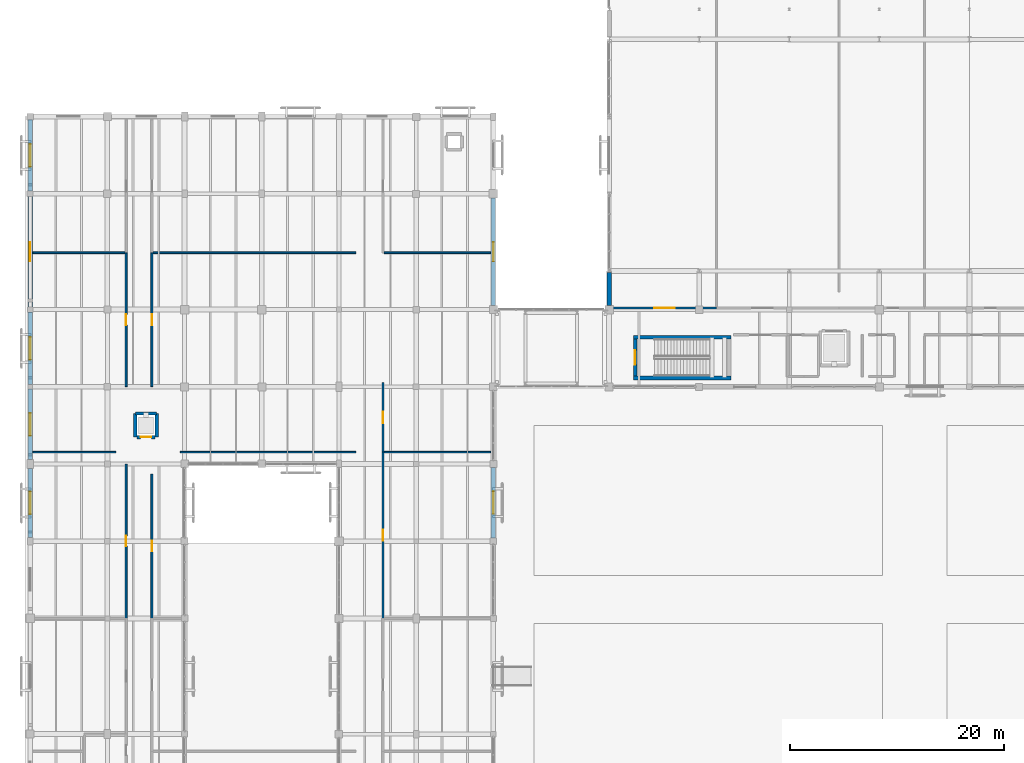
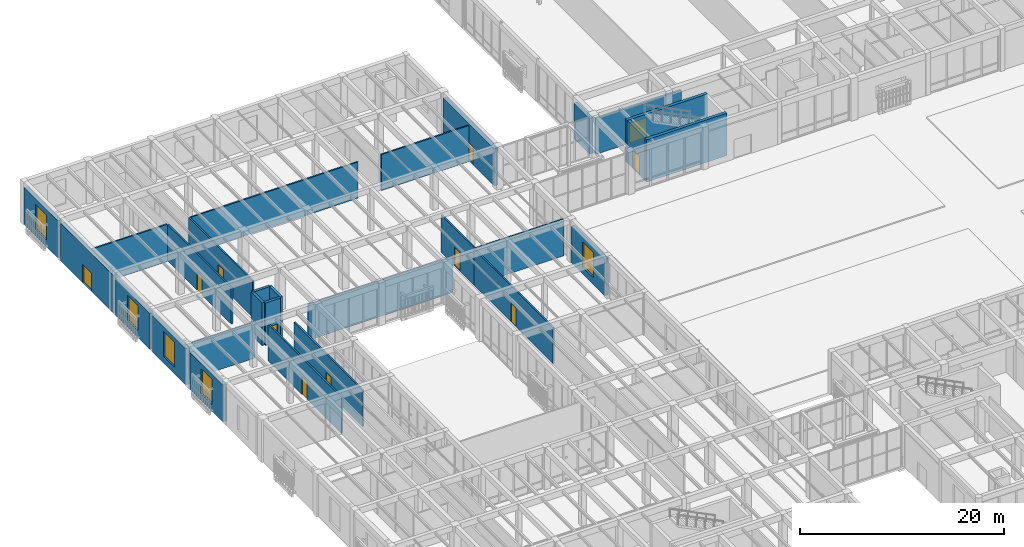
# One storey, part 125 of 169: 28 walls, 11 doors, 5 windows, 16 openings.
"""IFC4 building model written with IfcOpenShell, lengths in metres."""

from ifc_helpers import new_model, si_unit, direction, frame, frame_2d, origin, place, context, subcontext, project, spatial, rectangle, extrude, material, layer, layer_set, type_object, element, fill, save


model = new_model("IFC4")

# Units and contexts
model_context = context("Model", 3, precision=1e-05, world=origin(), true_north=direction((0.0, 1.0)))
body_context = subcontext(model_context, "Body", "Model", "MODEL_VIEW")
ifc_project = project(units=[si_unit("LENGTHUNIT", "METRE"), si_unit("AREAUNIT", "SQUARE_METRE"), si_unit("VOLUMEUNIT", "CUBIC_METRE"), si_unit("PLANEANGLEUNIT", "RADIAN"), si_unit("MASSUNIT", "GRAM", prefix="KILO")], contexts=[model_context])

# Site, building, storey
site_placement = place(None, origin())
site = spatial("IfcSite", under=ifc_project, at=site_placement, CompositionType="ELEMENT")
building_placement = place(site_placement, origin())
building = spatial("IfcBuilding", under=site, at=building_placement, Name="Mazaris Harbour Polytechnic", CompositionType="ELEMENT")
storey_placement = place(building_placement, origin())
storey = spatial("IfcBuildingStorey", under=building, at=storey_placement, Name="L00", CompositionType="ELEMENT", Elevation=0.0)

# Walls
ifc_material_1 = material(Name="Double Gypsum and Mineral Wool")
ifc_layer_1 = layer(ifc_material_1, 0.14990234375, Name="Double Gypsum and Mineral Wool")
ifc_layer_set_1 = layer_set([ifc_layer_1], Name="Double Gypsum and Mineral Wool")
wall_type_1 = type_object("IfcWallType", Name="Classroom Acoustic Partition 150", PredefinedType="PARTITIONING", material=ifc_layer_set_1)
wall_1_placement = place(storey_placement, frame((0.25, 69.5, 0.0), z_axis=(0.0, 0.0, 1.0), x_axis=(1.0, 0.0, 0.0)))
element("IfcWall", 1, at=wall_1_placement, inside=storey, type_object=wall_type_1, Name="V4 L00 Partition 296", PredefinedType="PARTITIONING", context=body_context, shape_type="SweptSolid", body=[
    extrude(rectangle(XDim=7.7451171875, YDim=0.14990234375, at=frame_2d((3.87255859375, 0.0))), origin(), (0.0, 0.0, 1.0), 4.300048828125),
])
wall_2_placement = place(storey_placement, frame((14.0048828125, 69.5, 0.0), z_axis=(0.0, 0.0, 1.0), x_axis=(1.0, 0.0, 0.0)))
element("IfcWall", 2, at=wall_2_placement, inside=storey, type_object=wall_type_1, Name="V4 L00 Partition 308", PredefinedType="PARTITIONING", context=body_context, shape_type="SweptSolid", body=[
    extrude(rectangle(XDim=16.375, YDim=0.14990234375, at=frame_2d((8.1875, 0.0))), origin(), (0.0, 0.0, 1.0), 4.300048828125),
])
wall_3_placement = place(storey_placement, frame((33.02001953125, 69.5, 0.0), z_axis=(0.0, 0.0, 1.0), x_axis=(1.0, 0.0, 0.0)))
element("IfcWall", 3, at=wall_3_placement, inside=storey, type_object=wall_type_1, Name="V4 L00 Partition 317", PredefinedType="PARTITIONING", context=body_context, shape_type="SweptSolid", body=[
    extrude(rectangle(XDim=9.929931640625, YDim=0.14990234375, at=frame_2d((4.96484375, 0.0))), origin(), (0.0, 0.0, 1.0), 4.39990234375),
])

# Wall, opening, door
ifc_material_2 = material(Name="Terracotta Block and Plaster", Category="masonry")
ifc_layer_2 = layer(ifc_material_2, 0.179931640625, Name="Terracotta Block and Plaster")
ifc_layer_set_2 = layer_set([ifc_layer_2], Name="Terracotta Block and Plaster")
wall_type_2 = type_object("IfcWallType", Name="Corridor Fire Partition 180", PredefinedType="PARTITIONING", material=ifc_layer_set_2)
wall_4_placement = place(storey_placement, frame((8.949951171875, 54.0048828125, 0.0), z_axis=(0.0, 0.0, 1.0), x_axis=(0.0, 1.0, 0.0)))
wall_4 = element("IfcWall", 4, at=wall_4_placement, inside=storey, type_object=wall_type_2, Name="V4 L00 Partition 295", PredefinedType="PARTITIONING", context=body_context, shape_type="SweptSolid", body=[
    extrude(rectangle(XDim=14.39013671875, YDim=0.179931640625, at=frame_2d((7.195068359375, 0.0))), origin(), (0.0, 0.0, 1.0), 4.35009765625),
])
opening_1_placement = place(wall_4_placement, frame((6.705078125, 0.0, 0.0)))
opening_1 = element("IfcOpeningElement", 5, at=opening_1_placement, cuts=wall_4, Name="Opening ID-08L", PredefinedType="OPENING", context=body_context, shape_type="SweptSolid", body=[
    extrude(rectangle(XDim=0.97998046875, YDim=2.179931640625, at=frame_2d((0.489990234375, 1.08984375))), frame((0.0, 0.099853515625, 0.0), z_axis=(0.0, -1.0, 0.0), x_axis=(1.0, 0.0, 0.0)), (0.0, 0.0, 1.0), 0.199951171875),
])
ifc_material_3 = material(Name="Solid Oak Timber", Category="wood")
door_type_1 = type_object("IfcDoorType", Name="Seminar Room Door LH 980x2180", OperationType="SINGLE_SWING_LEFT", PredefinedType="DOOR", material=ifc_material_3)
door_1_placement = place(opening_1_placement, origin())
door_1 = element("IfcDoor", 6, at=door_1_placement, inside=storey, type_object=door_type_1, Name="ID-0135", OperationType="SINGLE_SWING_LEFT", OverallHeight=2.179931640625, OverallWidth=0.97998046875, PredefinedType="DOOR", context=body_context, shape_type="SweptSolid", body=[
    extrude(rectangle(XDim=0.97998046875, YDim=2.179931640625, at=frame_2d((0.489990234375, 1.08984375))), frame((0.0, 0.02490234375, 0.0), z_axis=(0.0, -1.0, 0.0), x_axis=(1.0, 0.0, 0.0)), (0.0, 0.0, 1.0), 0.050048828125),
])
fill(opening_1, door_1)

wall_5_placement = place(storey_placement, frame((8.949951171875, 75.60498046875, 0.0), z_axis=(0.0, 0.0, 1.0), x_axis=(0.0, 1.0, 0.0)))
wall_5 = element("IfcWall", 7, at=wall_5_placement, inside=storey, type_object=wall_type_2, Name="V4 L00 Partition 297", PredefinedType="PARTITIONING", context=body_context, shape_type="SweptSolid", body=[
    extrude(rectangle(XDim=12.4951171875, YDim=0.179931640625, at=frame_2d((6.24755859375, 0.0))), origin(), (0.0, 0.0, 1.0), 4.35009765625),
])
opening_2_placement = place(wall_5_placement, frame((5.75244140625, 0.0, 0.0)))
opening_2 = element("IfcOpeningElement", 8, at=opening_2_placement, cuts=wall_5, Name="Opening ID-08R", PredefinedType="OPENING", context=body_context, shape_type="SweptSolid", body=[
    extrude(rectangle(XDim=0.989990234375, YDim=2.179931640625, at=frame_2d((0.4951171875, 1.08984375))), frame((0.0, 0.099853515625, 0.0), z_axis=(0.0, -1.0, 0.0), x_axis=(1.0, 0.0, 0.0)), (0.0, 0.0, 1.0), 0.199951171875),
])
ifc_material_4 = material(Name="Solid Oak Timber", Category="wood")
door_type_2 = type_object("IfcDoorType", Name="Seminar Room Door RH 990x2180", OperationType="SINGLE_SWING_RIGHT", PredefinedType="DOOR", material=ifc_material_4)
door_2_placement = place(opening_2_placement, origin())
door_2 = element("IfcDoor", 9, at=door_2_placement, inside=storey, type_object=door_type_2, Name="ID-0136", OperationType="SINGLE_SWING_RIGHT", OverallHeight=2.179931640625, OverallWidth=0.989990234375, PredefinedType="DOOR", context=body_context, shape_type="SweptSolid", body=[
    extrude(rectangle(XDim=0.989990234375, YDim=2.179931640625, at=frame_2d((0.4951171875, 1.08984375))), frame((0.0, 0.02490234375, 0.0), z_axis=(0.0, -1.0, 0.0), x_axis=(1.0, 0.0, 0.0)), (0.0, 0.0, 1.0), 0.050048828125),
])
fill(opening_2, door_2)

wall_6_placement = place(storey_placement, frame((11.35009765625, 54.0048828125, 0.0), z_axis=(0.0, 0.0, 1.0), x_axis=(0.0, 1.0, 0.0)))
wall_6 = element("IfcWall", 10, at=wall_6_placement, inside=storey, type_object=wall_type_2, Name="V4 L00 Partition 306", PredefinedType="PARTITIONING", context=body_context, shape_type="SweptSolid", body=[
    extrude(rectangle(XDim=13.455078125, YDim=0.179931640625, at=frame_2d((6.7275390625, 0.0))), origin(), (0.0, 0.0, 1.0), 4.35009765625),
])
opening_3_placement = place(wall_6_placement, frame((6.237548828125, 0.0, 0.0)))
opening_3 = element("IfcOpeningElement", 11, at=opening_3_placement, cuts=wall_6, Name="Opening ID-08L", PredefinedType="OPENING", context=body_context, shape_type="SweptSolid", body=[
    extrude(rectangle(XDim=0.97998046875, YDim=2.179931640625, at=frame_2d((0.489990234375, 1.08984375))), frame((0.0, 0.099853515625, 0.0), z_axis=(0.0, -1.0, 0.0), x_axis=(1.0, 0.0, 0.0)), (0.0, 0.0, 1.0), 0.199951171875),
])
door_3_placement = place(opening_3_placement, origin())
door_3 = element("IfcDoor", 12, at=door_3_placement, inside=storey, type_object=door_type_1, Name="ID-0141", OperationType="SINGLE_SWING_LEFT", OverallHeight=2.179931640625, OverallWidth=0.97998046875, PredefinedType="DOOR", context=body_context, shape_type="SweptSolid", body=[
    extrude(rectangle(XDim=0.97998046875, YDim=2.179931640625, at=frame_2d((0.489990234375, 1.08984375))), frame((0.0, 0.02490234375, 0.0), z_axis=(0.0, -1.0, 0.0), x_axis=(1.0, 0.0, 0.0)), (0.0, 0.0, 1.0), 0.050048828125),
])
fill(opening_3, door_3)

# Wall
ifc_material_5 = material(Name="Fireboard and Mineral Wool")
ifc_layer_3 = layer(ifc_material_5, 0.1650390625, Name="Fireboard and Mineral Wool")
ifc_layer_set_3 = layer_set([ifc_layer_3], Name="Fireboard and Mineral Wool")
wall_type_3 = type_object("IfcWallType", Name="Laboratory Rated Partition 165", PredefinedType="PARTITIONING", material=ifc_layer_set_3)
wall_7_placement = place(storey_placement, frame((0.25, 88.10009765625, 0.0), z_axis=(0.0, 0.0, 1.0), x_axis=(1.0, 0.0, 0.0)))
element("IfcWall", 13, at=wall_7_placement, inside=storey, type_object=wall_type_3, Name="V4 L00 Partition 298", PredefinedType="PARTITIONING", context=body_context, shape_type="SweptSolid", body=[
    extrude(rectangle(XDim=8.580078125, YDim=0.1650390625, at=frame_2d((4.2900390625, 0.0))), origin(), (0.0, 0.0, 1.0), 4.449951171875),
])

# Wall, opening, door
wall_8_placement = place(storey_placement, frame((11.35009765625, 75.60498046875, 0.0), z_axis=(0.0, 0.0, 1.0), x_axis=(0.0, 1.0, 0.0)))
wall_8 = element("IfcWall", 14, at=wall_8_placement, inside=storey, type_object=wall_type_3, Name="V4 L00 Partition 307", PredefinedType="PARTITIONING", context=body_context, shape_type="SweptSolid", body=[
    extrude(rectangle(XDim=12.4951171875, YDim=0.1650390625, at=frame_2d((6.24755859375, 0.0))), origin(), (0.0, 0.0, 1.0), 4.35009765625),
])
opening_4_placement = place(wall_8_placement, frame((5.717529296875, 0.0, 0.0)))
opening_4 = element("IfcOpeningElement", 15, at=opening_4_placement, cuts=wall_8, Name="Opening ID-02R", PredefinedType="OPENING", context=body_context, shape_type="SweptSolid", body=[
    extrude(rectangle(XDim=1.06005859375, YDim=2.199951171875, at=frame_2d((0.530029296875, 1.10009765625))), frame((0.0, 0.092529296875, 0.0), z_axis=(0.0, -1.0, 0.0), x_axis=(1.0, 0.0, 0.0)), (0.0, 0.0, 1.0), 0.18505859375),
])
ifc_material_6 = material(Name="Solid Timber and Vision Panel", Category="wood")
door_type_3 = type_object("IfcDoorType", Name="Laboratory Fire Door RH 1060x2200", OperationType="SINGLE_SWING_RIGHT", PredefinedType="DOOR", material=ifc_material_6)
door_4_placement = place(opening_4_placement, origin())
door_4 = element("IfcDoor", 16, at=door_4_placement, inside=storey, type_object=door_type_3, Name="ID-0142", OperationType="SINGLE_SWING_RIGHT", OverallHeight=2.199951171875, OverallWidth=1.06005859375, PredefinedType="DOOR", context=body_context, shape_type="SweptSolid", body=[
    extrude(rectangle(XDim=1.06005859375, YDim=2.199951171875, at=frame_2d((0.530029296875, 1.10009765625))), frame((0.0, 0.02490234375, 0.0), z_axis=(0.0, -1.0, 0.0), x_axis=(1.0, 0.0, 0.0)), (0.0, 0.0, 1.0), 0.050048828125),
])
fill(opening_4, door_4)

# Wall
wall_9_placement = place(storey_placement, frame((11.469970703125, 88.10009765625, 0.0), z_axis=(0.0, 0.0, 1.0), x_axis=(1.0, 0.0, 0.0)))
element("IfcWall", 17, at=wall_9_placement, inside=storey, type_object=wall_type_3, Name="V4 L00 Partition 309", PredefinedType="PARTITIONING", context=body_context, shape_type="SweptSolid", body=[
    extrude(rectangle(XDim=18.909912109375, YDim=0.1650390625, at=frame_2d((9.455078125, 0.0))), origin(), (0.0, 0.0, 1.0), 4.35009765625),
])

# Wall, opening, door
wall_10_placement = place(storey_placement, frame((32.89990234375, 54.0048828125, 0.0), z_axis=(0.0, 0.0, 1.0), x_axis=(0.0, 1.0, 0.0)))
wall_10 = element("IfcWall", 18, at=wall_10_placement, inside=storey, type_object=wall_type_3, Name="V4 L00 Partition 316", PredefinedType="PARTITIONING", context=body_context, shape_type="SweptSolid", body=[
    extrude(rectangle(XDim=15.4951171875, YDim=0.1650390625, at=frame_2d((7.74755859375, 0.0))), origin(), (0.0, 0.0, 1.0), 4.300048828125),
])
opening_5_placement = place(wall_10_placement, frame((7.222412109375, 0.0, 0.0)))
opening_5 = element("IfcOpeningElement", 19, at=opening_5_placement, cuts=wall_10, Name="Opening ID-02L", PredefinedType="OPENING", context=body_context, shape_type="SweptSolid", body=[
    extrude(rectangle(XDim=1.050048828125, YDim=2.199951171875, at=frame_2d((0.52490234375, 1.10009765625))), frame((0.0, 0.092529296875, 0.0), z_axis=(0.0, -1.0, 0.0), x_axis=(1.0, 0.0, 0.0)), (0.0, 0.0, 1.0), 0.18505859375),
])
ifc_material_7 = material(Name="Solid Timber and Vision Panel", Category="wood")
door_type_4 = type_object("IfcDoorType", Name="Laboratory Fire Door LH 1050x2200", OperationType="SINGLE_SWING_LEFT", PredefinedType="DOOR", material=ifc_material_7)
door_5_placement = place(opening_5_placement, origin())
door_5 = element("IfcDoor", 20, at=door_5_placement, inside=storey, type_object=door_type_4, Name="ID-0147", OperationType="SINGLE_SWING_LEFT", OverallHeight=2.199951171875, OverallWidth=1.050048828125, PredefinedType="DOOR", context=body_context, shape_type="SweptSolid", body=[
    extrude(rectangle(XDim=1.050048828125, YDim=2.199951171875, at=frame_2d((0.52490234375, 1.10009765625))), frame((0.0, 0.02490234375, 0.0), z_axis=(0.0, -1.0, 0.0), x_axis=(1.0, 0.0, 0.0)), (0.0, 0.0, 1.0), 0.050048828125),
])
fill(opening_5, door_5)

wall_11_placement = place(storey_placement, frame((32.89990234375, 69.5048828125, 0.0), z_axis=(0.0, 0.0, 1.0), x_axis=(0.0, 1.0, 0.0)))
wall_11 = element("IfcWall", 21, at=wall_11_placement, inside=storey, type_object=wall_type_3, Name="V4 L00 Partition 318", PredefinedType="PARTITIONING", context=body_context, shape_type="SweptSolid", body=[
    extrude(rectangle(XDim=6.47509765625, YDim=0.1650390625, at=frame_2d((3.237548828125, 0.0))), origin(), (0.0, 0.0, 1.0), 4.5),
])
opening_6_placement = place(wall_11_placement, frame((2.70751953125, 0.0, 0.0)))
opening_6 = element("IfcOpeningElement", 22, at=opening_6_placement, cuts=wall_11, Name="Opening ID-02R", PredefinedType="OPENING", context=body_context, shape_type="SweptSolid", body=[
    extrude(rectangle(XDim=1.06005859375, YDim=2.199951171875, at=frame_2d((0.530029296875, 1.10009765625))), frame((0.0, 0.092529296875, 0.0), z_axis=(0.0, -1.0, 0.0), x_axis=(1.0, 0.0, 0.0)), (0.0, 0.0, 1.0), 0.18505859375),
])
door_6_placement = place(opening_6_placement, origin())
door_6 = element("IfcDoor", 23, at=door_6_placement, inside=storey, type_object=door_type_3, Name="ID-0148", OperationType="SINGLE_SWING_RIGHT", OverallHeight=2.199951171875, OverallWidth=1.06005859375, PredefinedType="DOOR", context=body_context, shape_type="SweptSolid", body=[
    extrude(rectangle(XDim=1.06005859375, YDim=2.199951171875, at=frame_2d((0.530029296875, 1.10009765625))), frame((0.0, 0.02490234375, 0.0), z_axis=(0.0, -1.0, 0.0), x_axis=(1.0, 0.0, 0.0)), (0.0, 0.0, 1.0), 0.050048828125),
])
fill(opening_6, door_6)

# Walls
wall_12_placement = place(storey_placement, frame((33.02001953125, 88.10009765625, 0.0), z_axis=(0.0, 0.0, 1.0), x_axis=(1.0, 0.0, 0.0)))
element("IfcWall", 24, at=wall_12_placement, inside=storey, type_object=wall_type_3, Name="V4 L00 Partition 320", PredefinedType="PARTITIONING", context=body_context, shape_type="SweptSolid", body=[
    extrude(rectangle(XDim=9.929931640625, YDim=0.1650390625, at=frame_2d((4.96484375, 0.0))), origin(), (0.0, 0.0, 1.0), 4.300048828125),
])
ifc_material_8 = material(Name="Algerian Buff Limestone and Concrete C35/45", Category="masonry")
ifc_layer_4 = layer(ifc_material_8, 0.409912109375, Name="Algerian Buff Limestone and Concrete C35/45")
ifc_layer_set_4 = layer_set([ifc_layer_4], Name="Algerian Buff Limestone and Concrete C35/45")
wall_type_4 = type_object("IfcWallType", Name="Limestone Rusticated Base Wall 410", PredefinedType="STANDARD", material=ifc_layer_set_4)
wall_13_placement = place(storey_placement, frame((54.0, 83.19189453125, 0.0), z_axis=(0.0, 0.0, 1.0), x_axis=(0.0, 1.0, 0.0)))
element("IfcWall", 25, at=wall_13_placement, inside=storey, type_object=wall_type_4, Name="V1 L00 Exterior Wall 9", PredefinedType="STANDARD", context=body_context, shape_type="SweptSolid", body=[
    extrude(rectangle(XDim=3.071044921875, YDim=0.409912109375, at=frame_2d((1.53564453125, 0.0))), origin(), (0.0, 0.0, 1.0), 4.280029296875),
])

# Wall, opening, window
wall_14_placement = place(storey_placement, frame((0.0, 61.5419921875, 0.0), z_axis=(0.0, 0.0, 1.0), x_axis=(0.0, 1.0, 0.0)))
wall_14 = element("IfcWall", 26, at=wall_14_placement, inside=storey, type_object=wall_type_4, Name="V4 L00 Exterior Wall 147", PredefinedType="STANDARD", context=body_context, shape_type="SweptSolid", body=[
    extrude(rectangle(XDim=6.44091796875, YDim=0.409912109375, at=frame_2d((3.220458984375, 0.0))), origin(), (0.0, 0.0, 1.0), 4.39990234375),
])
opening_7_placement = place(wall_14_placement, frame((2.17041015625, 0.0, 0.800048828125)))
opening_7 = element("IfcOpeningElement", 27, at=opening_7_placement, cuts=wall_14, Name="Opening WN-05", PredefinedType="OPENING", context=body_context, shape_type="SweptSolid", body=[
    extrude(rectangle(XDim=2.10009765625, YDim=3.0, at=frame_2d((1.050048828125, 1.5))), frame((0.0, 0.21484375, 0.0), z_axis=(0.0, -1.0, 0.0), x_axis=(1.0, 0.0, 0.0)), (0.0, 0.0, 1.0), 0.429931640625),
])
ifc_material_9 = material(Name="Thermally Broken Bronze Aluminium and Low-E Glass", Category="aluminium")
window_type = type_object("IfcWindowType", Name="Podium Arch-Head Window 2100x3000", PartitioningType="DOUBLE_PANEL_VERTICAL", PredefinedType="WINDOW", material=ifc_material_9)
window_1_placement = place(opening_7_placement, origin())
window_1 = element("IfcWindow", 28, at=window_1_placement, inside=storey, type_object=window_type, Name="WN-0152", OverallHeight=3.0, OverallWidth=2.10009765625, PartitioningType="DOUBLE_PANEL_VERTICAL", PredefinedType="WINDOW", context=body_context, shape_type="SweptSolid", body=[
    extrude(rectangle(XDim=2.10009765625, YDim=3.0, at=frame_2d((1.050048828125, 1.5))), frame((0.0, 0.030029296875, 0.0), z_axis=(0.0, -1.0, 0.0), x_axis=(1.0, 0.0, 0.0)), (0.0, 0.0, 1.0), 0.06005859375),
])
fill(opening_7, window_1)

wall_15_placement = place(storey_placement, frame((0.0, 68.81689453125, 0.0), z_axis=(0.0, 0.0, 1.0), x_axis=(0.0, 1.0, 0.0)))
wall_15 = element("IfcWall", 29, at=wall_15_placement, inside=storey, type_object=wall_type_4, Name="V4 L00 Exterior Wall 148", PredefinedType="STANDARD", context=body_context, shape_type="SweptSolid", body=[
    extrude(rectangle(XDim=6.566162109375, YDim=0.409912109375, at=frame_2d((3.283203125, 0.0))), origin(), (0.0, 0.0, 1.0), 4.35009765625),
])
opening_8_placement = place(wall_15_placement, frame((2.23291015625, 0.0, 0.800048828125)))
opening_8 = element("IfcOpeningElement", 30, at=opening_8_placement, cuts=wall_15, Name="Opening WN-05", PredefinedType="OPENING", context=body_context, shape_type="SweptSolid", body=[
    extrude(rectangle(XDim=2.10009765625, YDim=3.0, at=frame_2d((1.050048828125, 1.5))), frame((0.0, 0.21484375, 0.0), z_axis=(0.0, -1.0, 0.0), x_axis=(1.0, 0.0, 0.0)), (0.0, 0.0, 1.0), 0.429931640625),
])
window_2_placement = place(opening_8_placement, origin())
window_2 = element("IfcWindow", 31, at=window_2_placement, inside=storey, type_object=window_type, Name="WN-0153", OverallHeight=3.0, OverallWidth=2.10009765625, PartitioningType="DOUBLE_PANEL_VERTICAL", PredefinedType="WINDOW", context=body_context, shape_type="SweptSolid", body=[
    extrude(rectangle(XDim=2.10009765625, YDim=3.0, at=frame_2d((1.050048828125, 1.5))), frame((0.0, 0.030029296875, 0.0), z_axis=(0.0, -1.0, 0.0), x_axis=(1.0, 0.0, 0.0)), (0.0, 0.0, 1.0), 0.06005859375),
])
fill(opening_8, window_2)

wall_16_placement = place(storey_placement, frame((0.0, 75.81689453125, 0.0), z_axis=(0.0, 0.0, 1.0), x_axis=(0.0, 1.0, 0.0)))
wall_16 = element("IfcWall", 32, at=wall_16_placement, inside=storey, type_object=wall_type_4, Name="V4 L00 Exterior Wall 149", PredefinedType="STANDARD", context=body_context, shape_type="SweptSolid", body=[
    extrude(rectangle(XDim=6.7412109375, YDim=0.409912109375, at=frame_2d((3.37060546875, 0.0))), origin(), (0.0, 0.0, 1.0), 4.300048828125),
])
opening_9_placement = place(wall_16_placement, frame((2.320556640625, 0.0, 0.800048828125)))
opening_9 = element("IfcOpeningElement", 33, at=opening_9_placement, cuts=wall_16, Name="Opening WN-05", PredefinedType="OPENING", context=body_context, shape_type="SweptSolid", body=[
    extrude(rectangle(XDim=2.10009765625, YDim=3.0, at=frame_2d((1.050048828125, 1.5))), frame((0.0, 0.21484375, 0.0), z_axis=(0.0, -1.0, 0.0), x_axis=(1.0, 0.0, 0.0)), (0.0, 0.0, 1.0), 0.429931640625),
])
window_3_placement = place(opening_9_placement, origin())
window_3 = element("IfcWindow", 34, at=window_3_placement, inside=storey, type_object=window_type, Name="WN-0154", OverallHeight=3.0, OverallWidth=2.10009765625, PartitioningType="DOUBLE_PANEL_VERTICAL", PredefinedType="WINDOW", context=body_context, shape_type="SweptSolid", body=[
    extrude(rectangle(XDim=2.10009765625, YDim=3.0, at=frame_2d((1.050048828125, 1.5))), frame((0.0, 0.030029296875, 0.0), z_axis=(0.0, -1.0, 0.0), x_axis=(1.0, 0.0, 0.0)), (0.0, 0.0, 1.0), 0.06005859375),
])
fill(opening_9, window_3)

# Wall, opening, door
wall_17_placement = place(storey_placement, frame((0.0, 83.0419921875, 0.0), z_axis=(0.0, 0.0, 1.0), x_axis=(0.0, 1.0, 0.0)))
wall_17 = element("IfcWall", 35, at=wall_17_placement, inside=storey, type_object=wall_type_4, Name="V4 L00 Exterior Wall 150", PredefinedType="STANDARD", context=body_context, shape_type="SweptSolid", body=[
    extrude(rectangle(XDim=10.291015625, YDim=0.409912109375, at=frame_2d((5.1455078125, 0.0))), origin(), (0.0, 0.0, 1.0), 4.5),
])
opening_10_placement = place(wall_17_placement, frame((4.24560546875, 0.0, 0.0)))
opening_10 = element("IfcOpeningElement", 36, at=opening_10_placement, cuts=wall_17, Name="Opening ED-03", PredefinedType="OPENING", context=body_context, shape_type="SweptSolid", body=[
    extrude(rectangle(XDim=1.800048828125, YDim=2.199951171875, at=frame_2d((0.89990234375, 1.10009765625))), frame((0.0, 0.21484375, 0.0), z_axis=(0.0, -1.0, 0.0), x_axis=(1.0, 0.0, 0.0)), (0.0, 0.0, 1.0), 0.429931640625),
])
ifc_material_10 = material(Name="Anodised Bronze Steel and Laminated Safety Glass", Category="steel")
door_type_5 = type_object("IfcDoorType", Name="Perimeter Final Exit Door 1800x2200", OperationType="DOUBLE_DOOR_SINGLE_SWING", PredefinedType="DOOR", material=ifc_material_10)
door_7_placement = place(opening_10_placement, origin())
door_7 = element("IfcDoor", 37, at=door_7_placement, inside=storey, type_object=door_type_5, Name="EXD-026", OperationType="DOUBLE_DOOR_SINGLE_SWING", OverallHeight=2.199951171875, OverallWidth=1.800048828125, PredefinedType="DOOR", context=body_context, shape_type="SweptSolid", body=[
    extrude(rectangle(XDim=1.800048828125, YDim=2.199951171875, at=frame_2d((0.89990234375, 1.10009765625))), frame((0.0, 0.02490234375, 0.0), z_axis=(0.0, -1.0, 0.0), x_axis=(1.0, 0.0, 0.0)), (0.0, 0.0, 1.0), 0.050048828125),
])
fill(opening_10, door_7)

# Wall, opening, window
wall_18_placement = place(storey_placement, frame((0.0, 93.866943359375, 0.0), z_axis=(0.0, 0.0, 1.0), x_axis=(0.0, 1.0, 0.0)))
wall_18 = element("IfcWall", 38, at=wall_18_placement, inside=storey, type_object=wall_type_4, Name="V4 L00 Exterior Wall 151", PredefinedType="STANDARD", context=body_context, shape_type="SweptSolid", body=[
    extrude(rectangle(XDim=6.64111328125, YDim=0.409912109375, at=frame_2d((3.320556640625, 0.0))), origin(), (0.0, 0.0, 1.0), 4.449951171875),
])
opening_11_placement = place(wall_18_placement, frame((2.2705078125, 0.0, 0.800048828125)))
opening_11 = element("IfcOpeningElement", 39, at=opening_11_placement, cuts=wall_18, Name="Opening WN-05", PredefinedType="OPENING", context=body_context, shape_type="SweptSolid", body=[
    extrude(rectangle(XDim=2.10009765625, YDim=3.0, at=frame_2d((1.050048828125, 1.5))), frame((0.0, 0.21484375, 0.0), z_axis=(0.0, -1.0, 0.0), x_axis=(1.0, 0.0, 0.0)), (0.0, 0.0, 1.0), 0.429931640625),
])
window_4_placement = place(opening_11_placement, origin())
window_4 = element("IfcWindow", 40, at=window_4_placement, inside=storey, type_object=window_type, Name="WN-0155", OverallHeight=3.0, OverallWidth=2.10009765625, PartitioningType="DOUBLE_PANEL_VERTICAL", PredefinedType="WINDOW", context=body_context, shape_type="SweptSolid", body=[
    extrude(rectangle(XDim=2.10009765625, YDim=3.0, at=frame_2d((1.050048828125, 1.5))), frame((0.0, 0.030029296875, 0.0), z_axis=(0.0, -1.0, 0.0), x_axis=(1.0, 0.0, 0.0)), (0.0, 0.0, 1.0), 0.06005859375),
])
fill(opening_11, window_4)

wall_19_placement = place(storey_placement, frame((43.199951171875, 68.0830078125, 0.0), z_axis=(0.0, 0.0, 1.0), x_axis=(0.0, -1.0, 0.0)))
wall_19 = element("IfcWall", 41, at=wall_19_placement, inside=storey, type_object=wall_type_4, Name="V4 L00 Exterior Wall 155", PredefinedType="STANDARD", context=body_context, shape_type="SweptSolid", body=[
    extrude(rectangle(XDim=6.591064453125, YDim=0.409912109375, at=frame_2d((3.29541015625, 0.0))), origin(), (0.0, 0.0, 1.0), 4.35009765625),
])
opening_12_placement = place(wall_19_placement, frame((2.24560546875, 0.0, 0.800048828125)))
opening_12 = element("IfcOpeningElement", 42, at=opening_12_placement, cuts=wall_19, Name="Opening WN-05", PredefinedType="OPENING", context=body_context, shape_type="SweptSolid", body=[
    extrude(rectangle(XDim=2.10009765625, YDim=3.0, at=frame_2d((1.050048828125, 1.5))), frame((0.0, 0.21484375, 0.0), z_axis=(0.0, -1.0, 0.0), x_axis=(1.0, 0.0, 0.0)), (0.0, 0.0, 1.0), 0.429931640625),
])
window_5_placement = place(opening_12_placement, origin())
window_5 = element("IfcWindow", 43, at=window_5_placement, inside=storey, type_object=window_type, Name="WN-0158", OverallHeight=3.0, OverallWidth=2.10009765625, PartitioningType="DOUBLE_PANEL_VERTICAL", PredefinedType="WINDOW", context=body_context, shape_type="SweptSolid", body=[
    extrude(rectangle(XDim=2.10009765625, YDim=3.0, at=frame_2d((1.050048828125, 1.5))), frame((0.0, 0.030029296875, 0.0), z_axis=(0.0, -1.0, 0.0), x_axis=(1.0, 0.0, 0.0)), (0.0, 0.0, 1.0), 0.06005859375),
])
fill(opening_12, window_5)

# Wall, opening, door
wall_20_placement = place(storey_placement, frame((43.199951171875, 93.2080078125, 0.0), z_axis=(0.0, 0.0, 1.0), x_axis=(0.0, -1.0, 0.0)))
wall_20 = element("IfcWall", 44, at=wall_20_placement, inside=storey, type_object=wall_type_4, Name="V4 L00 Exterior Wall 156", PredefinedType="STANDARD", context=body_context, shape_type="SweptSolid", body=[
    extrude(rectangle(XDim=10.041015625, YDim=0.409912109375, at=frame_2d((5.0205078125, 0.0))), origin(), (0.0, 0.0, 1.0), 4.449951171875),
])
opening_13_placement = place(wall_20_placement, frame((4.12060546875, 0.0, 0.0)))
opening_13 = element("IfcOpeningElement", 45, at=opening_13_placement, cuts=wall_20, Name="Opening ED-03", PredefinedType="OPENING", context=body_context, shape_type="SweptSolid", body=[
    extrude(rectangle(XDim=1.800048828125, YDim=2.199951171875, at=frame_2d((0.89990234375, 1.10009765625))), frame((0.0, 0.21484375, 0.0), z_axis=(0.0, -1.0, 0.0), x_axis=(1.0, 0.0, 0.0)), (0.0, 0.0, 1.0), 0.429931640625),
])
door_8_placement = place(opening_13_placement, origin())
door_8 = element("IfcDoor", 46, at=door_8_placement, inside=storey, type_object=door_type_5, Name="EXD-028", OperationType="DOUBLE_DOOR_SINGLE_SWING", OverallHeight=2.199951171875, OverallWidth=1.800048828125, PredefinedType="DOOR", context=body_context, shape_type="SweptSolid", body=[
    extrude(rectangle(XDim=1.800048828125, YDim=2.199951171875, at=frame_2d((0.89990234375, 1.10009765625))), frame((0.0, 0.02490234375, 0.0), z_axis=(0.0, -1.0, 0.0), x_axis=(1.0, 0.0, 0.0)), (0.0, 0.0, 1.0), 0.050048828125),
])
fill(opening_13, door_8)

# Walls
ifc_material_11 = material(Name="Concrete C40/50", Category="concrete")
ifc_layer_5 = layer(ifc_material_11, 0.35009765625, Name="Concrete C40/50")
ifc_layer_set_5 = layer_set([ifc_layer_5], Name="Concrete C40/50")
wall_type_5 = type_object("IfcWallType", Name="RC Core Shear Wall 350", PredefinedType="SHEAR", material=ifc_layer_set_5)
for number, where, z_axis, x_axis, name in (
    (47, (56.25, 76.425048828125, 0.0), (0.0, 0.0, 1.0), (1.0, 0.0, 0.0), "Core ST01 L00 Shear Wall S"),
    (48, (65.35009765625, 80.22509765625, 0.0), (0.0, 0.0, 1.0), (-1.0, 0.0, 0.0), "Core ST01 L00 Shear Wall N"),
):
    element("IfcWall", number, at=place(storey_placement, frame(where, z_axis=z_axis, x_axis=x_axis)), inside=storey, type_object=wall_type_5, Name=name, PredefinedType="SHEAR", context=body_context, shape_type="SweptSolid", body=[
        extrude(rectangle(XDim=9.10009765625, YDim=0.35009765625, at=frame_2d((4.550048828125, 0.0))), origin(), (0.0, 0.0, 1.0), 5.080078125),
    ])

# Wall, opening, door
wall_21_placement = place(storey_placement, frame((56.425048828125, 80.050048828125, 0.0), z_axis=(0.0, 0.0, 1.0), x_axis=(0.0, -1.0, 0.0)))
wall_21 = element("IfcWall", 49, at=wall_21_placement, inside=storey, type_object=wall_type_5, Name="Core ST01 L00 Entrance Shear Wall", PredefinedType="SHEAR", context=body_context, shape_type="SweptSolid", body=[
    extrude(rectangle(XDim=3.449951171875, YDim=0.35009765625, at=frame_2d((1.72509765625, 0.0))), origin(), (0.0, 0.0, 1.0), 5.080078125),
])
opening_14_placement = place(wall_21_placement, frame((1.034912109375, 0.0, 0.0)))
opening_14 = element("IfcOpeningElement", 50, at=opening_14_placement, cuts=wall_21, Name="Opening SD-01", PredefinedType="OPENING", context=body_context, shape_type="SweptSolid", body=[
    extrude(rectangle(XDim=1.3798828125, YDim=2.199951171875, at=frame_2d((0.68994140625, 1.10009765625))), frame((0.0, 0.18505859375, 0.0), z_axis=(0.0, -1.0, 0.0), x_axis=(1.0, 0.0, 0.0)), (0.0, 0.0, 1.0), 0.3701171875),
])
ifc_material_12 = material(Name="Glulam Timber and Fire Glass", Category="wood")
door_type_6 = type_object("IfcDoorType", Name="Protected Stair Lobby Fire Door 1380x2200", OperationType="DOUBLE_DOOR_SINGLE_SWING", PredefinedType="DOOR", material=ifc_material_12)
door_9_placement = place(opening_14_placement, origin())
door_9 = element("IfcDoor", 51, at=door_9_placement, inside=storey, type_object=door_type_6, Name="SD-002", OperationType="DOUBLE_DOOR_SINGLE_SWING", OverallHeight=2.199951171875, OverallWidth=1.3798828125, PredefinedType="DOOR", context=body_context, shape_type="SweptSolid", body=[
    extrude(rectangle(XDim=1.3798828125, YDim=2.199951171875, at=frame_2d((0.68994140625, 1.10009765625))), frame((0.0, 0.02490234375, 0.0), z_axis=(0.0, -1.0, 0.0), x_axis=(1.0, 0.0, 0.0)), (0.0, 0.0, 1.0), 0.050048828125),
])
fill(opening_14, door_9)

# Walls
ifc_material_13 = material(Name="Concrete C40/50", Category="concrete")
ifc_layer_6 = layer(ifc_material_13, 0.300048828125, Name="Concrete C40/50")
ifc_layer_set_6 = layer_set([ifc_layer_6], Name="Concrete C40/50")
wall_type_6 = type_object("IfcWallType", Name="RC Lift Shaft Wall 300", PredefinedType="SHEAR", material=ifc_layer_set_6)
wall_22_placement = place(storey_placement, frame((11.800048828125, 73.10009765625, 0.0), z_axis=(0.0, 0.0, 1.0), x_axis=(-1.0, 0.0, 0.0)))
element("IfcWall", 52, at=wall_22_placement, inside=storey, type_object=wall_type_6, Name="Lift LP-01 L00 North Shaft Wall", PredefinedType="SHEAR", context=body_context, shape_type="SweptSolid", body=[
    extrude(rectangle(XDim=2.0, YDim=0.300048828125, at=frame_2d((1.0, 0.0))), origin(), (0.0, 0.0, 1.0), 5.10009765625),
])
for number, where, z_axis, x_axis, name in (
    (53, (9.800048828125, 73.10009765625, 0.0), (0.0, 0.0, 1.0), (0.0, -1.0, 0.0), "Lift LP-01 L00 West Shaft Wall"),
    (54, (11.800048828125, 70.89990234375, 0.0), (0.0, 0.0, 1.0), (0.0, 1.0, 0.0), "Lift LP-01 L00 East Shaft Wall"),
):
    element("IfcWall", number, at=place(storey_placement, frame(where, z_axis=z_axis, x_axis=x_axis)), inside=storey, type_object=wall_type_6, Name=name, PredefinedType="SHEAR", context=body_context, shape_type="SweptSolid", body=[
        extrude(rectangle(XDim=2.2001953125, YDim=0.300048828125, at=frame_2d((1.10009765625, 0.0))), origin(), (0.0, 0.0, 1.0), 5.10009765625),
    ])

# Wall, opening, door
wall_23_placement = place(storey_placement, frame((11.659912109375, 70.89990234375, 0.0), z_axis=(0.0, 0.0, 1.0), x_axis=(-1.0, 0.0, 0.0)))
wall_23 = element("IfcWall", 55, at=wall_23_placement, inside=storey, type_object=wall_type_6, Name="Lift LP-01 L00 Front Shaft Wall", PredefinedType="SHEAR", context=body_context, shape_type="SweptSolid", body=[
    extrude(rectangle(XDim=1.719970703125, YDim=0.300048828125, at=frame_2d((0.85986328125, 0.0))), origin(), (0.0, 0.0, 1.0), 5.10009765625),
])
opening_15_placement = place(wall_23_placement, frame((0.360107421875, 0.0, 0.0)))
opening_15 = element("IfcOpeningElement", 56, at=opening_15_placement, cuts=wall_23, Name="Opening LD-01", PredefinedType="OPENING", context=body_context, shape_type="SweptSolid", body=[
    extrude(rectangle(XDim=1.0, YDim=2.10009765625, at=frame_2d((0.5, 1.050048828125))), frame((0.0, 0.159912109375, 0.0), z_axis=(0.0, -1.0, 0.0), x_axis=(1.0, 0.0, 0.0)), (0.0, 0.0, 1.0), 0.320068359375),
])
ifc_material_14 = material(Name="Stainless Steel S355", Category="steel")
door_type_7 = type_object("IfcDoorType", Name="Sliding Passenger Lift Landing Door 1000x2100", OperationType="SLIDING_TO_LEFT", PredefinedType="DOOR", material=ifc_material_14)
door_10_placement = place(opening_15_placement, origin())
door_10 = element("IfcDoor", 57, at=door_10_placement, inside=storey, type_object=door_type_7, Name="LD-015", OperationType="SLIDING_TO_LEFT", OverallHeight=2.10009765625, OverallWidth=1.0, PredefinedType="DOOR", context=body_context, shape_type="SweptSolid", body=[
    extrude(rectangle(XDim=1.0, YDim=2.10009765625, at=frame_2d((0.5, 1.050048828125))), frame((0.0, 0.02490234375, 0.0), z_axis=(0.0, -1.0, 0.0), x_axis=(1.0, 0.0, 0.0)), (0.0, 0.0, 1.0), 0.050048828125),
])
fill(opening_15, door_10)

ifc_material_15 = material(Name="Concrete Masonry C30/37", Category="masonry")
ifc_layer_7 = layer(ifc_material_15, 0.2099609375, Name="Concrete Masonry C30/37")
ifc_layer_set_7 = layer_set([ifc_layer_7], Name="Concrete Masonry C30/37")
wall_type_7 = type_object("IfcWallType", Name="Workshop Compartment Wall 210", PredefinedType="STANDARD", material=ifc_layer_set_7)
wall_24_placement = place(storey_placement, frame((54.300048828125, 82.949951171875, 0.0), z_axis=(0.0, 0.0, 1.0), x_axis=(1.0, 0.0, 0.0)))
wall_24 = element("IfcWall", 58, at=wall_24_placement, inside=storey, type_object=wall_type_7, Name="V1 L00 Partition 32", PredefinedType="STANDARD", context=body_context, shape_type="SweptSolid", body=[
    extrude(rectangle(XDim=9.699951171875, YDim=0.2099609375, at=frame_2d((4.85009765625, 0.0))), origin(), (0.0, 0.0, 1.0), 4.330078125),
])
opening_16_placement = place(wall_24_placement, frame((3.89990234375, 0.0, 0.0)))
opening_16 = element("IfcOpeningElement", 59, at=opening_16_placement, cuts=wall_24, Name="Opening ID-05D", PredefinedType="OPENING", context=body_context, shape_type="SweptSolid", body=[
    extrude(rectangle(XDim=1.89990234375, YDim=2.35009765625, at=frame_2d((0.949951171875, 1.175048828125))), frame((0.0, 0.114990234375, 0.0), z_axis=(0.0, -1.0, 0.0), x_axis=(1.0, 0.0, 0.0)), (0.0, 0.0, 1.0), 0.22998046875),
])
ifc_material_16 = material(Name="Galvanised Steel S355", Category="steel")
door_type_8 = type_object("IfcDoorType", Name="Workshop Heavy Double Door 1900x2350", OperationType="DOUBLE_DOOR_SINGLE_SWING", PredefinedType="DOOR", material=ifc_material_16)
door_11_placement = place(opening_16_placement, origin())
door_11 = element("IfcDoor", 60, at=door_11_placement, inside=storey, type_object=door_type_8, Name="ID-0015", OperationType="DOUBLE_DOOR_SINGLE_SWING", OverallHeight=2.35009765625, OverallWidth=1.89990234375, PredefinedType="DOOR", context=body_context, shape_type="SweptSolid", body=[
    extrude(rectangle(XDim=1.89990234375, YDim=2.35009765625, at=frame_2d((0.949951171875, 1.175048828125))), frame((0.0, 0.02490234375, 0.0), z_axis=(0.0, -1.0, 0.0), x_axis=(1.0, 0.0, 0.0)), (0.0, 0.0, 1.0), 0.050048828125),
])
fill(opening_16, door_11)

save(model, "model.ifc")
